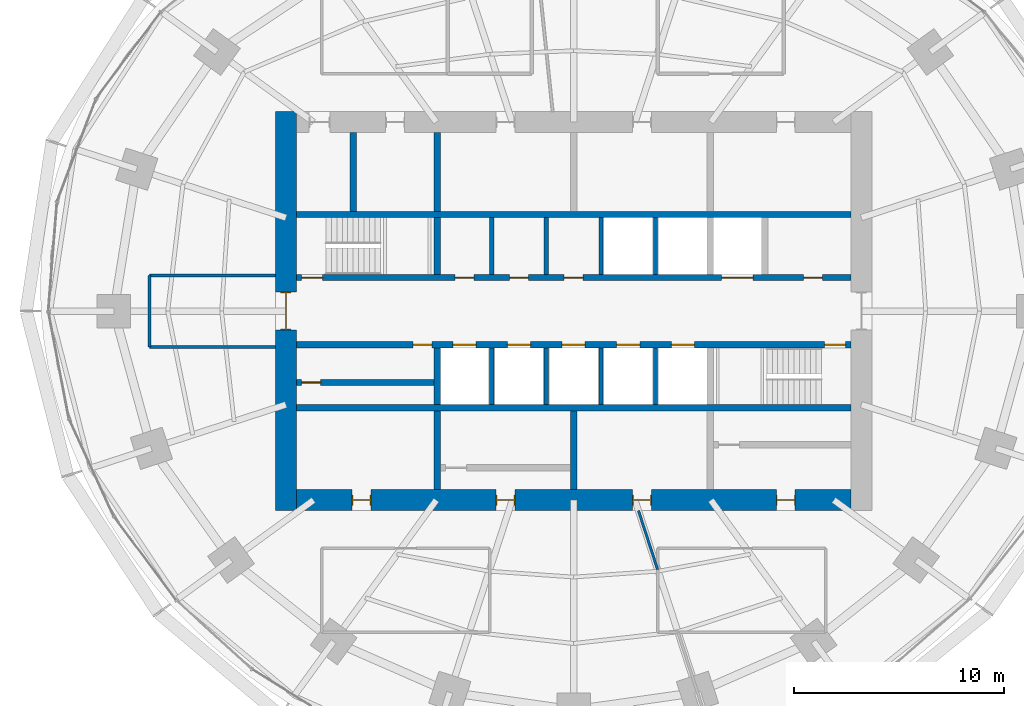
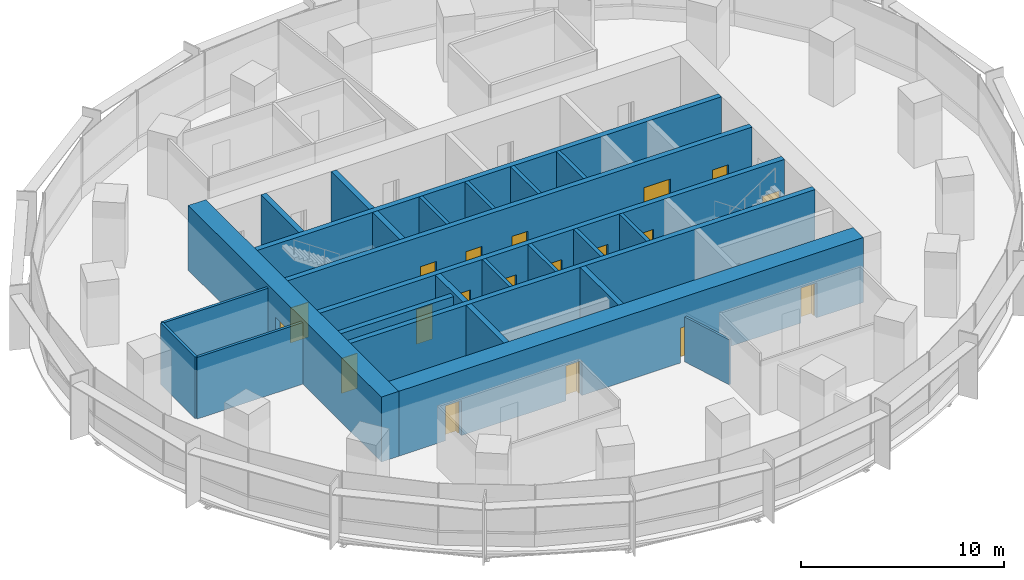
# One storey, part 10 of 14: 25 walls, 19 doors, 19 openings.
"""IFC4 building model written with IfcOpenShell, lengths in metres."""

from ifc_helpers import new_model, si_unit, direction, frame, frame_2d, origin, place, context, subcontext, project, spatial, rectangle, extrude, material, layer, layer_set, type_object, element, fill, save


model = new_model("IFC4")

# Units and contexts
model_context = context("Model", 3, precision=1e-05, world=origin(), true_north=direction((0.0, 1.0)))
body_context = subcontext(model_context, "Body", "Model", "MODEL_VIEW")
ifc_project = project(units=[si_unit("LENGTHUNIT", "METRE"), si_unit("AREAUNIT", "SQUARE_METRE"), si_unit("VOLUMEUNIT", "CUBIC_METRE"), si_unit("PLANEANGLEUNIT", "RADIAN"), si_unit("MASSUNIT", "GRAM", prefix="KILO")], contexts=[model_context])

# Site, building, storey
site_placement = place(None, origin())
site = spatial("IfcSite", under=ifc_project, at=site_placement, CompositionType="ELEMENT")
building_placement = place(site_placement, origin())
building = spatial("IfcBuilding", under=site, at=building_placement, Name="Marramba Exchange Tower", CompositionType="ELEMENT")
storey_placement = place(building_placement, frame((0.0, 0.0, 162.60009765625)))
storey = spatial("IfcBuildingStorey", under=building, at=storey_placement, Name="L39", CompositionType="ELEMENT", Elevation=162.60009765625)

# Walls
ifc_material_1 = material(Name="Concrete N50", Category="concrete")
ifc_layer_1 = layer(ifc_material_1, 0.199951171875)
ifc_layer_set_1 = layer_set([ifc_layer_1], Name="Core shaft wall 200")
wall_type_1 = type_object("IfcWallType", Name="Core shaft wall 200", PredefinedType="SHEAR", material=ifc_layer_set_1)
for number, where, z_axis, x_axis, name in (
    (1, (-3.89990234375, 1.75, 0.0), (0.0, 0.0, 1.0), (0.0, 1.0, 0.0), "Core wall SHN1 L39"),
    (2, (-1.300048828125, 1.75, 0.0), (0.0, 0.0, 1.0), (0.0, 1.0, 0.0), "Core wall SHN2 L39"),
    (3, (1.300048828125, 1.75, 0.0), (0.0, 0.0, 1.0), (0.0, 1.0, 0.0), "Core wall SHN3 L39"),
    (4, (3.89990234375, 1.75, 0.0), (0.0, 0.0, 1.0), (0.0, 1.0, 0.0), "Core wall SHN4 L39"),
    (5, (-3.89990234375, -1.75, 0.0), (0.0, 0.0, 1.0), (0.0, -1.0, 0.0), "Core wall SHS1 L39"),
    (6, (-1.300048828125, -1.75, 0.0), (0.0, 0.0, 1.0), (0.0, -1.0, 0.0), "Core wall SHS2 L39"),
    (7, (1.300048828125, -1.75, 0.0), (0.0, 0.0, 1.0), (0.0, -1.0, 0.0), "Core wall SHS3 L39"),
    (8, (3.89990234375, -1.75, 0.0), (0.0, 0.0, 1.0), (0.0, -1.0, 0.0), "Core wall SHS4 L39"),
):
    element("IfcWall", number, at=place(storey_placement, frame(where, z_axis=z_axis, x_axis=x_axis)), inside=storey, type_object=wall_type_1, Name=name, PredefinedType="SHEAR", context=body_context, shape_type="SweptSolid", body=[
        extrude(rectangle(XDim=2.699951171875, YDim=0.199951171875, at=frame_2d((1.35009765625, 0.0))), origin(), (0.0, 0.0, 1.0), 3.89990234375),
    ])

# Wall, openings, doors
ifc_layer_2 = layer(ifc_material_1, 1.0)
ifc_layer_set_2 = layer_set([ifc_layer_2], Name="Core wall 1000")
wall_type_2 = type_object("IfcWallType", Name="Core wall 1000", PredefinedType="SHEAR", material=ifc_layer_set_2)
wall_1_placement = place(storey_placement, frame((-13.199951171875, -9.0, 0.0), z_axis=(0.0, 0.0, 1.0), x_axis=(1.0, 0.0, 0.0)))
wall_1 = element("IfcWall", 9, at=wall_1_placement, inside=storey, type_object=wall_type_2, Name="Core wall S L39", PredefinedType="SHEAR", context=body_context, shape_type="SweptSolid", body=[
    extrude(rectangle(XDim=26.39990234375, YDim=1.0, at=frame_2d((13.199951171875, 0.0))), origin(), (0.0, 0.0, 1.0), 3.89990234375),
])
opening_1_placement = place(wall_1_placement, frame((2.64990234375, 0.0, 0.0)))
opening_1 = element("IfcOpeningElement", 10, at=opening_1_placement, cuts=wall_1, Name="Opening D5", PredefinedType="OPENING", context=body_context, shape_type="SweptSolid", body=[
    extrude(rectangle(XDim=0.89990234375, YDim=2.10009765625, at=frame_2d((0.449951171875, 1.050048828125))), frame((0.0, 0.510009765625, 0.0), z_axis=(0.0, -1.0, 0.0), x_axis=(1.0, 0.0, 0.0)), (0.0, 0.0, 1.0), 1.02001953125),
])
opening_2_placement = place(wall_1_placement, frame((9.5, 0.0, 0.0)))
opening_2 = element("IfcOpeningElement", 11, at=opening_2_placement, cuts=wall_1, Name="Opening D5", PredefinedType="OPENING", context=body_context, shape_type="SweptSolid", body=[
    extrude(rectangle(XDim=0.89990234375, YDim=2.10009765625, at=frame_2d((0.449951171875, 1.050048828125))), frame((0.0, 0.510009765625, 0.0), z_axis=(0.0, -1.0, 0.0), x_axis=(1.0, 0.0, 0.0)), (0.0, 0.0, 1.0), 1.02001953125),
])
opening_3_placement = place(wall_1_placement, frame((16.0, 0.0, 0.0)))
opening_3 = element("IfcOpeningElement", 12, at=opening_3_placement, cuts=wall_1, Name="Opening D5", PredefinedType="OPENING", context=body_context, shape_type="SweptSolid", body=[
    extrude(rectangle(XDim=0.89990234375, YDim=2.10009765625, at=frame_2d((0.449951171875, 1.050048828125))), frame((0.0, 0.510009765625, 0.0), z_axis=(0.0, -1.0, 0.0), x_axis=(1.0, 0.0, 0.0)), (0.0, 0.0, 1.0), 1.02001953125),
])
opening_4_placement = place(wall_1_placement, frame((22.85009765625, 0.0, 0.0)))
opening_4 = element("IfcOpeningElement", 13, at=opening_4_placement, cuts=wall_1, Name="Opening D5", PredefinedType="OPENING", context=body_context, shape_type="SweptSolid", body=[
    extrude(rectangle(XDim=0.89990234375, YDim=2.10009765625, at=frame_2d((0.449951171875, 1.050048828125))), frame((0.0, 0.510009765625, 0.0), z_axis=(0.0, -1.0, 0.0), x_axis=(1.0, 0.0, 0.0)), (0.0, 0.0, 1.0), 1.02001953125),
])
ifc_material_2 = material(Name="Steel-framed door", Category="steel")
door_type_1 = type_object("IfcDoorType", Name="Service door 900x2100", OperationType="SINGLE_SWING_LEFT", PredefinedType="DOOR", material=ifc_material_2)
door_1_placement = place(opening_1_placement, origin())
door_1 = element("IfcDoor", 14, at=door_1_placement, inside=storey, type_object=door_type_1, Name="D5 ahu L39", OperationType="SINGLE_SWING_LEFT", OverallHeight=2.10009765625, OverallWidth=0.89990234375, PredefinedType="DOOR", context=body_context, shape_type="SweptSolid", body=[
    extrude(rectangle(XDim=0.81982421875, YDim=2.06005859375, at=frame_2d((0.449951171875, 1.030029296875))), frame((0.0, 0.02490234375, 0.0), z_axis=(0.0, -1.0, 0.0), x_axis=(1.0, 0.0, 0.0)), (0.0, 0.0, 1.0), 0.050048828125),
    extrude(rectangle(XDim=0.04, YDim=2.10009765625, at=frame_2d((0.02001953125, 1.050048828125))), frame((0.0, 0.25, 0.0), z_axis=(0.0, -1.0, 0.0), x_axis=(1.0, 0.0, 0.0)), (0.0, 0.0, 1.0), 0.5),
    extrude(rectangle(XDim=0.04, YDim=2.10009765625, at=frame_2d((0.8798828125, 1.050048828125))), frame((0.0, 0.25, 0.0), z_axis=(0.0, -1.0, 0.0), x_axis=(1.0, 0.0, 0.0)), (0.0, 0.0, 1.0), 0.5),
    extrude(rectangle(XDim=0.81982421875, YDim=0.04, at=frame_2d((0.449951171875, 2.080078125))), frame((0.0, 0.25, 0.0), z_axis=(0.0, -1.0, 0.0), x_axis=(1.0, 0.0, 0.0)), (0.0, 0.0, 1.0), 0.5),
])
fill(opening_1, door_1)
door_2_placement = place(opening_2_placement, origin())
door_2 = element("IfcDoor", 15, at=door_2_placement, inside=storey, type_object=door_type_1, Name="D5 store L39", OperationType="SINGLE_SWING_RIGHT", OverallHeight=2.10009765625, OverallWidth=0.89990234375, PredefinedType="DOOR", context=body_context, shape_type="SweptSolid", body=[
    extrude(rectangle(XDim=0.81982421875, YDim=2.06005859375, at=frame_2d((0.449951171875, 1.030029296875))), frame((0.0, 0.02490234375, 0.0), z_axis=(0.0, -1.0, 0.0), x_axis=(1.0, 0.0, 0.0)), (0.0, 0.0, 1.0), 0.050048828125),
    extrude(rectangle(XDim=0.04, YDim=2.10009765625, at=frame_2d((0.02001953125, 1.050048828125))), frame((0.0, 0.25, 0.0), z_axis=(0.0, -1.0, 0.0), x_axis=(1.0, 0.0, 0.0)), (0.0, 0.0, 1.0), 0.5),
    extrude(rectangle(XDim=0.04, YDim=2.10009765625, at=frame_2d((0.8798828125, 1.050048828125))), frame((0.0, 0.25, 0.0), z_axis=(0.0, -1.0, 0.0), x_axis=(1.0, 0.0, 0.0)), (0.0, 0.0, 1.0), 0.5),
    extrude(rectangle(XDim=0.81982421875, YDim=0.04, at=frame_2d((0.449951171875, 2.080078125))), frame((0.0, 0.25, 0.0), z_axis=(0.0, -1.0, 0.0), x_axis=(1.0, 0.0, 0.0)), (0.0, 0.0, 1.0), 0.5),
])
fill(opening_2, door_2)
door_3_placement = place(opening_3_placement, origin())
door_3 = element("IfcDoor", 16, at=door_3_placement, inside=storey, type_object=door_type_1, Name="D5 switch L39", OperationType="SINGLE_SWING_RIGHT", OverallHeight=2.10009765625, OverallWidth=0.89990234375, PredefinedType="DOOR", context=body_context, shape_type="SweptSolid", body=[
    extrude(rectangle(XDim=0.81982421875, YDim=2.06005859375, at=frame_2d((0.449951171875, 1.030029296875))), frame((0.0, 0.02490234375, 0.0), z_axis=(0.0, -1.0, 0.0), x_axis=(1.0, 0.0, 0.0)), (0.0, 0.0, 1.0), 0.050048828125),
    extrude(rectangle(XDim=0.04, YDim=2.10009765625, at=frame_2d((0.02001953125, 1.050048828125))), frame((0.0, 0.25, 0.0), z_axis=(0.0, -1.0, 0.0), x_axis=(1.0, 0.0, 0.0)), (0.0, 0.0, 1.0), 0.5),
    extrude(rectangle(XDim=0.04, YDim=2.10009765625, at=frame_2d((0.8798828125, 1.050048828125))), frame((0.0, 0.25, 0.0), z_axis=(0.0, -1.0, 0.0), x_axis=(1.0, 0.0, 0.0)), (0.0, 0.0, 1.0), 0.5),
    extrude(rectangle(XDim=0.81982421875, YDim=0.04, at=frame_2d((0.449951171875, 2.080078125))), frame((0.0, 0.25, 0.0), z_axis=(0.0, -1.0, 0.0), x_axis=(1.0, 0.0, 0.0)), (0.0, 0.0, 1.0), 0.5),
])
fill(opening_3, door_3)
door_4_placement = place(opening_4_placement, origin())
door_4 = element("IfcDoor", 17, at=door_4_placement, inside=storey, type_object=door_type_1, Name="D5 cstore L39", OperationType="SINGLE_SWING_RIGHT", OverallHeight=2.10009765625, OverallWidth=0.89990234375, PredefinedType="DOOR", context=body_context, shape_type="SweptSolid", body=[
    extrude(rectangle(XDim=0.81982421875, YDim=2.06005859375, at=frame_2d((0.449951171875, 1.030029296875))), frame((0.0, 0.02490234375, 0.0), z_axis=(0.0, -1.0, 0.0), x_axis=(1.0, 0.0, 0.0)), (0.0, 0.0, 1.0), 0.050048828125),
    extrude(rectangle(XDim=0.04, YDim=2.10009765625, at=frame_2d((0.02001953125, 1.050048828125))), frame((0.0, 0.25, 0.0), z_axis=(0.0, -1.0, 0.0), x_axis=(1.0, 0.0, 0.0)), (0.0, 0.0, 1.0), 0.5),
    extrude(rectangle(XDim=0.04, YDim=2.10009765625, at=frame_2d((0.8798828125, 1.050048828125))), frame((0.0, 0.25, 0.0), z_axis=(0.0, -1.0, 0.0), x_axis=(1.0, 0.0, 0.0)), (0.0, 0.0, 1.0), 0.5),
    extrude(rectangle(XDim=0.81982421875, YDim=0.04, at=frame_2d((0.449951171875, 2.080078125))), frame((0.0, 0.25, 0.0), z_axis=(0.0, -1.0, 0.0), x_axis=(1.0, 0.0, 0.0)), (0.0, 0.0, 1.0), 0.5),
])
fill(opening_4, door_4)

# Wall, opening, door
wall_2_placement = place(storey_placement, frame((-13.699951171875, 9.5, 0.0), z_axis=(0.0, 0.0, 1.0), x_axis=(0.0, -1.0, 0.0)))
wall_2 = element("IfcWall", 18, at=wall_2_placement, inside=storey, type_object=wall_type_2, Name="Core wall W L39", PredefinedType="SHEAR", context=body_context, shape_type="SweptSolid", body=[
    extrude(rectangle(XDim=19.0, YDim=1.0, at=frame_2d((9.5, 0.0))), origin(), (0.0, 0.0, 1.0), 3.89990234375),
])
opening_5_placement = place(wall_2_placement, frame((8.60009765625, 0.0, 0.0)))
opening_5 = element("IfcOpeningElement", 19, at=opening_5_placement, cuts=wall_2, Name="Opening D1", PredefinedType="OPENING", context=body_context, shape_type="SweptSolid", body=[
    extrude(rectangle(XDim=1.800048828125, YDim=2.39990234375, at=frame_2d((0.89990234375, 1.199951171875))), frame((0.0, 0.510009765625, 0.0), z_axis=(0.0, -1.0, 0.0), x_axis=(1.0, 0.0, 0.0)), (0.0, 0.0, 1.0), 1.02001953125),
])
door_type_2 = type_object("IfcDoorType", Name="Lobby exit door 1800x2400", OperationType="DOUBLE_DOOR_SINGLE_SWING", PredefinedType="DOOR", material=ifc_material_2)
door_5_placement = place(opening_5_placement, frame((1.800048828125, 0.0, 0.0), z_axis=(0.0, 0.0, 1.0), x_axis=(-1.0, 0.0, 0.0)))
door_5 = element("IfcDoor", 20, at=door_5_placement, inside=storey, type_object=door_type_2, Name="D1 lobby exit west L39", OperationType="DOUBLE_DOOR_SINGLE_SWING", OverallHeight=2.39990234375, OverallWidth=1.800048828125, PredefinedType="DOOR", context=body_context, shape_type="SweptSolid", body=[
    extrude(rectangle(XDim=1.719970703125, YDim=2.35986328125, at=frame_2d((0.900146484375, 1.179931640625))), frame((0.0, 0.025146484375, 0.0), z_axis=(0.0, -1.0, 0.0), x_axis=(1.0, 0.0, 0.0)), (0.0, 0.0, 1.0), 0.050048828125),
    extrude(rectangle(XDim=0.04, YDim=2.39990234375, at=frame_2d((1.780029296875, 1.199951171875))), frame((0.0, 0.25, 0.0), z_axis=(0.0, -1.0, 0.0), x_axis=(1.0, 0.0, 0.0)), (0.0, 0.0, 1.0), 0.5),
    extrude(rectangle(XDim=0.04, YDim=2.39990234375, at=frame_2d((0.02001953125, 1.199951171875))), frame((0.0, 0.25, 0.0), z_axis=(0.0, -1.0, 0.0), x_axis=(1.0, 0.0, 0.0)), (0.0, 0.0, 1.0), 0.5),
    extrude(rectangle(XDim=1.719970703125, YDim=0.04, at=frame_2d((0.900146484375, 2.3798828125))), frame((0.0, 0.25, 0.0), z_axis=(0.0, -1.0, 0.0), x_axis=(1.0, 0.0, 0.0)), (0.0, 0.0, 1.0), 0.5),
])
fill(opening_5, door_5)

# Wall, openings, doors
ifc_layer_3 = layer(ifc_material_1, 0.300048828125)
ifc_layer_set_3 = layer_set([ifc_layer_3], Name="Core wall 300")
wall_type_3 = type_object("IfcWallType", Name="Core wall 300", PredefinedType="SHEAR", material=ifc_layer_set_3)
wall_3_placement = place(storey_placement, frame((-13.199951171875, 1.60009765625, 0.0), z_axis=(0.0, 0.0, 1.0), x_axis=(1.0, 0.0, 0.0)))
wall_3 = element("IfcWall", 21, at=wall_3_placement, inside=storey, type_object=wall_type_3, Name="Core wall LN L39", PredefinedType="SHEAR", context=body_context, shape_type="SweptSolid", body=[
    extrude(rectangle(XDim=26.39990234375, YDim=0.300048828125, at=frame_2d((13.199951171875, 0.0))), origin(), (0.0, 0.0, 1.0), 3.89990234375),
])
opening_6_placement = place(wall_3_placement, frame((0.25, 0.0, 0.0)))
opening_6 = element("IfcOpeningElement", 22, at=opening_6_placement, cuts=wall_3, Name="Opening D2", PredefinedType="OPENING", context=body_context, shape_type="SweptSolid", body=[
    extrude(rectangle(XDim=1.0, YDim=2.10009765625, at=frame_2d((0.5, 1.050048828125))), frame((0.0, 0.159912109375, 0.0), z_axis=(0.0, -1.0, 0.0), x_axis=(1.0, 0.0, 0.0)), (0.0, 0.0, 1.0), 0.320068359375),
])
opening_7_placement = place(wall_3_placement, frame((20.25, 0.0, 0.0)))
opening_7 = element("IfcOpeningElement", 23, at=opening_7_placement, cuts=wall_3, Name="Opening LD3", PredefinedType="OPENING", context=body_context, shape_type="SweptSolid", body=[
    extrude(rectangle(XDim=1.5, YDim=2.39990234375, at=frame_2d((0.75, 1.199951171875))), frame((0.0, 0.159912109375, 0.0), z_axis=(0.0, -1.0, 0.0), x_axis=(1.0, 0.0, 0.0)), (0.0, 0.0, 1.0), 0.320068359375),
])
opening_8_placement = place(wall_3_placement, frame((7.550048828125, 0.0, 0.0)))
opening_8 = element("IfcOpeningElement", 24, at=opening_8_placement, cuts=wall_3, Name="Opening D5", PredefinedType="OPENING", context=body_context, shape_type="SweptSolid", body=[
    extrude(rectangle(XDim=0.89990234375, YDim=2.10009765625, at=frame_2d((0.449951171875, 1.050048828125))), frame((0.0, 0.159912109375, 0.0), z_axis=(0.0, -1.0, 0.0), x_axis=(1.0, 0.0, 0.0)), (0.0, 0.0, 1.0), 0.320068359375),
])
opening_9_placement = place(wall_3_placement, frame((10.14990234375, 0.0, 0.0)))
opening_9 = element("IfcOpeningElement", 25, at=opening_9_placement, cuts=wall_3, Name="Opening D5", PredefinedType="OPENING", context=body_context, shape_type="SweptSolid", body=[
    extrude(rectangle(XDim=0.89990234375, YDim=2.10009765625, at=frame_2d((0.449951171875, 1.050048828125))), frame((0.0, 0.159912109375, 0.0), z_axis=(0.0, -1.0, 0.0), x_axis=(1.0, 0.0, 0.0)), (0.0, 0.0, 1.0), 0.320068359375),
])
opening_10_placement = place(wall_3_placement, frame((12.75, 0.0, 0.0)))
opening_10 = element("IfcOpeningElement", 26, at=opening_10_placement, cuts=wall_3, Name="Opening D5", PredefinedType="OPENING", context=body_context, shape_type="SweptSolid", body=[
    extrude(rectangle(XDim=0.89990234375, YDim=2.10009765625, at=frame_2d((0.449951171875, 1.050048828125))), frame((0.0, 0.159912109375, 0.0), z_axis=(0.0, -1.0, 0.0), x_axis=(1.0, 0.0, 0.0)), (0.0, 0.0, 1.0), 0.320068359375),
])
opening_11_placement = place(wall_3_placement, frame((24.14990234375, 0.0, 0.0)))
opening_11 = element("IfcOpeningElement", 27, at=opening_11_placement, cuts=wall_3, Name="Opening D5", PredefinedType="OPENING", context=body_context, shape_type="SweptSolid", body=[
    extrude(rectangle(XDim=0.89990234375, YDim=2.10009765625, at=frame_2d((0.449951171875, 1.050048828125))), frame((0.0, 0.159912109375, 0.0), z_axis=(0.0, -1.0, 0.0), x_axis=(1.0, 0.0, 0.0)), (0.0, 0.0, 1.0), 0.320068359375),
])
door_type_3 = type_object("IfcDoorType", Name="Goods lift landing door 1500x2400", OperationType="SLIDING_TO_LEFT", PredefinedType="DOOR", material=ifc_material_2)
door_6_placement = place(opening_7_placement, origin())
door_6 = element("IfcDoor", 28, at=door_6_placement, inside=storey, type_object=door_type_3, Name="GL1 landing door L39", OperationType="SLIDING_TO_LEFT", OverallHeight=2.39990234375, OverallWidth=1.5, PredefinedType="DOOR", context=body_context, shape_type="SweptSolid", body=[
    extrude(rectangle(XDim=1.5, YDim=2.39990234375, at=frame_2d((0.75, 1.199951171875))), frame((0.0, 0.02490234375, 0.0), z_axis=(0.0, -1.0, 0.0), x_axis=(1.0, 0.0, 0.0)), (0.0, 0.0, 1.0), 0.050048828125),
])
fill(opening_7, door_6)
door_7_placement = place(opening_8_placement, origin())
door_7 = element("IfcDoor", 29, at=door_7_placement, inside=storey, type_object=door_type_1, Name="D5 switch room L39", OperationType="SINGLE_SWING_RIGHT", OverallHeight=2.10009765625, OverallWidth=0.89990234375, PredefinedType="DOOR", context=body_context, shape_type="SweptSolid", body=[
    extrude(rectangle(XDim=0.89990234375, YDim=2.10009765625, at=frame_2d((0.449951171875, 1.050048828125))), frame((0.0, 0.02490234375, 0.0), z_axis=(0.0, -1.0, 0.0), x_axis=(1.0, 0.0, 0.0)), (0.0, 0.0, 1.0), 0.050048828125),
])
fill(opening_8, door_7)
door_8_placement = place(opening_9_placement, origin())
door_8 = element("IfcDoor", 30, at=door_8_placement, inside=storey, type_object=door_type_1, Name="D5 cleaner store L39", OperationType="SINGLE_SWING_RIGHT", OverallHeight=2.10009765625, OverallWidth=0.89990234375, PredefinedType="DOOR", context=body_context, shape_type="SweptSolid", body=[
    extrude(rectangle(XDim=0.89990234375, YDim=2.10009765625, at=frame_2d((0.449951171875, 1.050048828125))), frame((0.0, 0.02490234375, 0.0), z_axis=(0.0, -1.0, 0.0), x_axis=(1.0, 0.0, 0.0)), (0.0, 0.0, 1.0), 0.050048828125),
])
fill(opening_9, door_8)
door_9_placement = place(opening_10_placement, origin())
door_9 = element("IfcDoor", 31, at=door_9_placement, inside=storey, type_object=door_type_1, Name="D5 general store L39", OperationType="SINGLE_SWING_RIGHT", OverallHeight=2.10009765625, OverallWidth=0.89990234375, PredefinedType="DOOR", context=body_context, shape_type="SweptSolid", body=[
    extrude(rectangle(XDim=0.89990234375, YDim=2.10009765625, at=frame_2d((0.449951171875, 1.050048828125))), frame((0.0, 0.02490234375, 0.0), z_axis=(0.0, -1.0, 0.0), x_axis=(1.0, 0.0, 0.0)), (0.0, 0.0, 1.0), 0.050048828125),
])
fill(opening_10, door_9)
door_10_placement = place(opening_11_placement, origin())
door_10 = element("IfcDoor", 32, at=door_10_placement, inside=storey, type_object=door_type_1, Name="D5 riser L39", OperationType="SINGLE_SWING_RIGHT", OverallHeight=2.10009765625, OverallWidth=0.89990234375, PredefinedType="DOOR", context=body_context, shape_type="SweptSolid", body=[
    extrude(rectangle(XDim=0.89990234375, YDim=2.10009765625, at=frame_2d((0.449951171875, 1.050048828125))), frame((0.0, 0.02490234375, 0.0), z_axis=(0.0, -1.0, 0.0), x_axis=(1.0, 0.0, 0.0)), (0.0, 0.0, 1.0), 0.050048828125),
])
fill(opening_11, door_10)
door_type_4 = type_object("IfcDoorType", Name="Stair door 1000x2100", OperationType="SINGLE_SWING_LEFT", PredefinedType="DOOR", material=ifc_material_2)
door_11_placement = place(opening_6_placement, origin())
door_11 = element("IfcDoor", 33, at=door_11_placement, inside=storey, type_object=door_type_4, Name="D2 stair ST1 L39", OperationType="SINGLE_SWING_LEFT", OverallHeight=2.10009765625, OverallWidth=1.0, PredefinedType="DOOR", context=body_context, shape_type="SweptSolid", body=[
    extrude(rectangle(XDim=1.0, YDim=2.10009765625, at=frame_2d((0.5, 1.050048828125))), frame((0.0, 0.02490234375, 0.0), z_axis=(0.0, -1.0, 0.0), x_axis=(1.0, 0.0, 0.0)), (0.0, 0.0, 1.0), 0.050048828125),
])
fill(opening_6, door_11)

wall_4_placement = place(storey_placement, frame((-13.199951171875, -1.60009765625, 0.0), z_axis=(0.0, 0.0, 1.0), x_axis=(1.0, 0.0, 0.0)))
wall_4 = element("IfcWall", 34, at=wall_4_placement, inside=storey, type_object=wall_type_3, Name="Core wall LS L39", PredefinedType="SHEAR", context=body_context, shape_type="SweptSolid", body=[
    extrude(rectangle(XDim=26.39990234375, YDim=0.300048828125, at=frame_2d((13.199951171875, 0.0))), origin(), (0.0, 0.0, 1.0), 3.89990234375),
])
opening_12_placement = place(wall_4_placement, frame((25.14990234375, 0.0, 0.0)))
opening_12 = element("IfcOpeningElement", 35, at=opening_12_placement, cuts=wall_4, Name="Opening D2", PredefinedType="OPENING", context=body_context, shape_type="SweptSolid", body=[
    extrude(rectangle(XDim=1.0, YDim=2.10009765625, at=frame_2d((0.5, 1.050048828125))), frame((0.0, 0.159912109375, 0.0), z_axis=(0.0, -1.0, 0.0), x_axis=(1.0, 0.0, 0.0)), (0.0, 0.0, 1.0), 0.320068359375),
])
opening_13_placement = place(wall_4_placement, frame((7.449951171875, 0.0, 0.0)))
opening_13 = element("IfcOpeningElement", 36, at=opening_13_placement, cuts=wall_4, Name="Opening LD1", PredefinedType="OPENING", context=body_context, shape_type="SweptSolid", body=[
    extrude(rectangle(XDim=1.10009765625, YDim=2.300048828125, at=frame_2d((0.550048828125, 1.14990234375))), frame((0.0, 0.159912109375, 0.0), z_axis=(0.0, -1.0, 0.0), x_axis=(1.0, 0.0, 0.0)), (0.0, 0.0, 1.0), 0.320068359375),
])
opening_14_placement = place(wall_4_placement, frame((10.050048828125, 0.0, 0.0)))
opening_14 = element("IfcOpeningElement", 37, at=opening_14_placement, cuts=wall_4, Name="Opening LD1", PredefinedType="OPENING", context=body_context, shape_type="SweptSolid", body=[
    extrude(rectangle(XDim=1.10009765625, YDim=2.300048828125, at=frame_2d((0.550048828125, 1.14990234375))), frame((0.0, 0.159912109375, 0.0), z_axis=(0.0, -1.0, 0.0), x_axis=(1.0, 0.0, 0.0)), (0.0, 0.0, 1.0), 0.320068359375),
])
opening_15_placement = place(wall_4_placement, frame((12.64990234375, 0.0, 0.0)))
opening_15 = element("IfcOpeningElement", 38, at=opening_15_placement, cuts=wall_4, Name="Opening LD1", PredefinedType="OPENING", context=body_context, shape_type="SweptSolid", body=[
    extrude(rectangle(XDim=1.10009765625, YDim=2.300048828125, at=frame_2d((0.550048828125, 1.14990234375))), frame((0.0, 0.159912109375, 0.0), z_axis=(0.0, -1.0, 0.0), x_axis=(1.0, 0.0, 0.0)), (0.0, 0.0, 1.0), 0.320068359375),
])
opening_16_placement = place(wall_4_placement, frame((15.25, 0.0, 0.0)))
opening_16 = element("IfcOpeningElement", 39, at=opening_16_placement, cuts=wall_4, Name="Opening LD2", PredefinedType="OPENING", context=body_context, shape_type="SweptSolid", body=[
    extrude(rectangle(XDim=1.10009765625, YDim=2.300048828125, at=frame_2d((0.550048828125, 1.14990234375))), frame((0.0, 0.159912109375, 0.0), z_axis=(0.0, -1.0, 0.0), x_axis=(1.0, 0.0, 0.0)), (0.0, 0.0, 1.0), 0.320068359375),
])
opening_17_placement = place(wall_4_placement, frame((17.85009765625, 0.0, 0.0)))
opening_17 = element("IfcOpeningElement", 40, at=opening_17_placement, cuts=wall_4, Name="Opening LD2", PredefinedType="OPENING", context=body_context, shape_type="SweptSolid", body=[
    extrude(rectangle(XDim=1.10009765625, YDim=2.300048828125, at=frame_2d((0.550048828125, 1.14990234375))), frame((0.0, 0.159912109375, 0.0), z_axis=(0.0, -1.0, 0.0), x_axis=(1.0, 0.0, 0.0)), (0.0, 0.0, 1.0), 0.320068359375),
])
opening_18_placement = place(wall_4_placement, frame((5.550048828125, 0.0, 0.0)))
opening_18 = element("IfcOpeningElement", 41, at=opening_18_placement, cuts=wall_4, Name="Opening D5", PredefinedType="OPENING", context=body_context, shape_type="SweptSolid", body=[
    extrude(rectangle(XDim=0.89990234375, YDim=2.10009765625, at=frame_2d((0.449951171875, 1.050048828125))), frame((0.0, 0.159912109375, 0.0), z_axis=(0.0, -1.0, 0.0), x_axis=(1.0, 0.0, 0.0)), (0.0, 0.0, 1.0), 0.320068359375),
])
door_type_5 = type_object("IfcDoorType", Name="Emergency lift landing door 1100x2300", OperationType="SLIDING_TO_LEFT", PredefinedType="DOOR", material=ifc_material_2)
door_12_placement = place(opening_16_placement, frame((1.10009765625, 0.0, 0.0), z_axis=(0.0, 0.0, 1.0), x_axis=(-1.0, 0.0, 0.0)))
door_12 = element("IfcDoor", 42, at=door_12_placement, inside=storey, type_object=door_type_5, Name="FL1 landing door L39", OperationType="SLIDING_TO_RIGHT", OverallHeight=2.300048828125, OverallWidth=1.10009765625, PredefinedType="DOOR", context=body_context, shape_type="SweptSolid", body=[
    extrude(rectangle(XDim=1.10009765625, YDim=2.300048828125, at=frame_2d((0.550048828125, 1.14990234375))), frame((0.0, 0.025146484375, 0.0), z_axis=(0.0, -1.0, 0.0), x_axis=(1.0, 0.0, 0.0)), (0.0, 0.0, 1.0), 0.050048828125),
])
fill(opening_16, door_12)
door_13_placement = place(opening_17_placement, frame((1.10009765625, 0.0, 0.0), z_axis=(0.0, 0.0, 1.0), x_axis=(-1.0, 0.0, 0.0)))
door_13 = element("IfcDoor", 43, at=door_13_placement, inside=storey, type_object=door_type_5, Name="FL2 landing door L39", OperationType="SLIDING_TO_LEFT", OverallHeight=2.300048828125, OverallWidth=1.10009765625, PredefinedType="DOOR", context=body_context, shape_type="SweptSolid", body=[
    extrude(rectangle(XDim=1.10009765625, YDim=2.300048828125, at=frame_2d((0.550048828125, 1.14990234375))), frame((0.0, 0.025146484375, 0.0), z_axis=(0.0, -1.0, 0.0), x_axis=(1.0, 0.0, 0.0)), (0.0, 0.0, 1.0), 0.050048828125),
])
fill(opening_17, door_13)
door_type_6 = type_object("IfcDoorType", Name="Lift landing door 1100x2300", OperationType="SLIDING_TO_LEFT", PredefinedType="DOOR", material=ifc_material_2)
door_14_placement = place(opening_13_placement, frame((1.10009765625, 0.0, 0.0), z_axis=(0.0, 0.0, 1.0), x_axis=(-1.0, 0.0, 0.0)))
door_14 = element("IfcDoor", 44, at=door_14_placement, inside=storey, type_object=door_type_6, Name="LB1 landing door L39", OperationType="SLIDING_TO_LEFT", OverallHeight=2.300048828125, OverallWidth=1.10009765625, PredefinedType="DOOR", context=body_context, shape_type="SweptSolid", body=[
    extrude(rectangle(XDim=1.10009765625, YDim=2.300048828125, at=frame_2d((0.550048828125, 1.14990234375))), frame((0.0, 0.025146484375, 0.0), z_axis=(0.0, -1.0, 0.0), x_axis=(1.0, 0.0, 0.0)), (0.0, 0.0, 1.0), 0.050048828125),
])
fill(opening_13, door_14)
door_15_placement = place(opening_14_placement, frame((1.10009765625, 0.0, 0.0), z_axis=(0.0, 0.0, 1.0), x_axis=(-1.0, 0.0, 0.0)))
door_15 = element("IfcDoor", 45, at=door_15_placement, inside=storey, type_object=door_type_6, Name="LB2 landing door L39", OperationType="SLIDING_TO_RIGHT", OverallHeight=2.300048828125, OverallWidth=1.10009765625, PredefinedType="DOOR", context=body_context, shape_type="SweptSolid", body=[
    extrude(rectangle(XDim=1.10009765625, YDim=2.300048828125, at=frame_2d((0.550048828125, 1.14990234375))), frame((0.0, 0.025146484375, 0.0), z_axis=(0.0, -1.0, 0.0), x_axis=(1.0, 0.0, 0.0)), (0.0, 0.0, 1.0), 0.050048828125),
])
fill(opening_14, door_15)
door_16_placement = place(opening_15_placement, frame((1.10009765625, 0.0, 0.0), z_axis=(0.0, 0.0, 1.0), x_axis=(-1.0, 0.0, 0.0)))
door_16 = element("IfcDoor", 46, at=door_16_placement, inside=storey, type_object=door_type_6, Name="LB3 landing door L39", OperationType="SLIDING_TO_RIGHT", OverallHeight=2.300048828125, OverallWidth=1.10009765625, PredefinedType="DOOR", context=body_context, shape_type="SweptSolid", body=[
    extrude(rectangle(XDim=1.10009765625, YDim=2.300048828125, at=frame_2d((0.550048828125, 1.14990234375))), frame((0.0, 0.025146484375, 0.0), z_axis=(0.0, -1.0, 0.0), x_axis=(1.0, 0.0, 0.0)), (0.0, 0.0, 1.0), 0.050048828125),
])
fill(opening_15, door_16)
door_17_placement = place(opening_18_placement, frame((0.89990234375, 0.0, 0.0), z_axis=(0.0, 0.0, 1.0), x_axis=(-1.0, 0.0, 0.0)))
door_17 = element("IfcDoor", 47, at=door_17_placement, inside=storey, type_object=door_type_1, Name="D5 electrical riser L39", OperationType="SINGLE_SWING_LEFT", OverallHeight=2.10009765625, OverallWidth=0.89990234375, PredefinedType="DOOR", context=body_context, shape_type="SweptSolid", body=[
    extrude(rectangle(XDim=0.89990234375, YDim=2.10009765625, at=frame_2d((0.449951171875, 1.050048828125))), frame((0.0, 0.025146484375, 0.0), z_axis=(0.0, -1.0, 0.0), x_axis=(1.0, 0.0, 0.0)), (0.0, 0.0, 1.0), 0.050048828125),
])
fill(opening_18, door_17)
door_18_placement = place(opening_12_placement, frame((1.0, 0.0, 0.0), z_axis=(0.0, 0.0, 1.0), x_axis=(-1.0, 0.0, 0.0)))
door_18 = element("IfcDoor", 48, at=door_18_placement, inside=storey, type_object=door_type_4, Name="D2 stair ST2 L39", OperationType="SINGLE_SWING_LEFT", OverallHeight=2.10009765625, OverallWidth=1.0, PredefinedType="DOOR", context=body_context, shape_type="SweptSolid", body=[
    extrude(rectangle(XDim=1.0, YDim=2.10009765625, at=frame_2d((0.5, 1.050048828125))), frame((0.0, 0.025146484375, 0.0), z_axis=(0.0, -1.0, 0.0), x_axis=(1.0, 0.0, 0.0)), (0.0, 0.0, 1.0), 0.050048828125),
])
fill(opening_12, door_18)

# Walls
for number, where, z_axis, x_axis, name in (
    (49, (-13.199951171875, 4.60009765625, 0.0), (0.0, 0.0, 1.0), (1.0, 0.0, 0.0), "Core wall BN L39"),
    (50, (-13.199951171875, -4.60009765625, 0.0), (0.0, 0.0, 1.0), (1.0, 0.0, 0.0), "Core wall BS L39"),
):
    element("IfcWall", number, at=place(storey_placement, frame(where, z_axis=z_axis, x_axis=x_axis)), inside=storey, type_object=wall_type_3, Name=name, PredefinedType="SHEAR", context=body_context, shape_type="SweptSolid", body=[
        extrude(rectangle(XDim=26.39990234375, YDim=0.300048828125, at=frame_2d((13.199951171875, 0.0))), origin(), (0.0, 0.0, 1.0), 3.89990234375),
    ])
wall_5_placement = place(storey_placement, frame((-6.5, 1.75, 0.0), z_axis=(0.0, 0.0, 1.0), x_axis=(0.0, 1.0, 0.0)))
element("IfcWall", 51, at=wall_5_placement, inside=storey, type_object=wall_type_3, Name="Core wall X0Na L39", PredefinedType="SHEAR", context=body_context, shape_type="SweptSolid", body=[
    extrude(rectangle(XDim=2.699951171875, YDim=0.300048828125, at=frame_2d((1.35009765625, 0.0))), origin(), (0.0, 0.0, 1.0), 3.89990234375),
])
wall_6_placement = place(storey_placement, frame((-6.5, 4.75, 0.0), z_axis=(0.0, 0.0, 1.0), x_axis=(0.0, 1.0, 0.0)))
element("IfcWall", 52, at=wall_6_placement, inside=storey, type_object=wall_type_3, Name="Core wall X0Nb L39", PredefinedType="SHEAR", context=body_context, shape_type="SweptSolid", body=[
    extrude(rectangle(XDim=3.75, YDim=0.300048828125, at=frame_2d((1.875, 0.0))), origin(), (0.0, 0.0, 1.0), 3.89990234375),
])
wall_7_placement = place(storey_placement, frame((-6.5, -1.75, 0.0), z_axis=(0.0, 0.0, 1.0), x_axis=(0.0, -1.0, 0.0)))
element("IfcWall", 53, at=wall_7_placement, inside=storey, type_object=wall_type_3, Name="Core wall X0Sa L39", PredefinedType="SHEAR", context=body_context, shape_type="SweptSolid", body=[
    extrude(rectangle(XDim=2.699951171875, YDim=0.300048828125, at=frame_2d((1.35009765625, 0.0))), origin(), (0.0, 0.0, 1.0), 3.89990234375),
])
for number, where, z_axis, x_axis, name in (
    (54, (-6.5, -4.75, 0.0), (0.0, 0.0, 1.0), (0.0, -1.0, 0.0), "Core wall X0Sb L39"),
    (55, (0.0, -4.75, 0.0), (0.0, 0.0, 1.0), (0.0, -1.0, 0.0), "Core wall MS L39"),
    (56, (-10.5, 4.75, 0.0), (0.0, 0.0, 1.0), (0.0, 1.0, 0.0), "Core wall WD L39"),
):
    element("IfcWall", number, at=place(storey_placement, frame(where, z_axis=z_axis, x_axis=x_axis)), inside=storey, type_object=wall_type_3, Name=name, PredefinedType="SHEAR", context=body_context, shape_type="SweptSolid", body=[
        extrude(rectangle(XDim=3.75, YDim=0.300048828125, at=frame_2d((1.875, 0.0))), origin(), (0.0, 0.0, 1.0), 3.89990234375),
    ])
ifc_material_3 = material(Name="Plasterboard on steel studs", Category="steel")
ifc_layer_4 = layer(ifc_material_3, 0.1201171875)
ifc_layer_set_4 = layer_set([ifc_layer_4], Name="Partition 120")
wall_type_4 = type_object("IfcWallType", Name="Partition 120", PredefinedType="PARTITIONING", material=ifc_layer_set_4)
wall_8_placement = place(storey_placement, frame((3.086669921875, -9.5, 0.0), z_axis=(0.0, 0.0, 1.0), x_axis=(0.309031903466, -0.951051671908, 0.0)))
element("IfcWall", 57, at=wall_8_placement, inside=storey, type_object=wall_type_4, Name="Partition L39 07", PredefinedType="PARTITIONING", context=body_context, shape_type="SweptSolid", body=[
    extrude(rectangle(XDim=2.95556640625, YDim=0.1201171875, at=frame_2d((1.477783203125, 0.0))), origin(), (0.0, 0.0, 1.0), 2.699951171875),
])

# Wall, opening, door
ifc_material_4 = material(Name="Core-filled concrete blockwork", Category="masonry")
ifc_layer_5 = layer(ifc_material_4, 0.300048828125)
ifc_layer_set_5 = layer_set([ifc_layer_5], Name="Riser enclosure wall 300")
wall_type_5 = type_object("IfcWallType", Name="Riser enclosure wall 300", PredefinedType="SOLIDWALL", material=ifc_layer_set_5)
wall_9_placement = place(storey_placement, frame((-13.199951171875, -3.39990234375, 0.0), z_axis=(0.0, 0.0, 1.0), x_axis=(1.0, 0.0, 0.0)))
wall_9 = element("IfcWall", 58, at=wall_9_placement, inside=storey, type_object=wall_type_5, Name="Riser enclosure wall L39", PredefinedType="SOLIDWALL", context=body_context, shape_type="SweptSolid", body=[
    extrude(rectangle(XDim=6.550048828125, YDim=0.300048828125, at=frame_2d((3.27490234375, 0.0))), origin(), (0.0, 0.0, 1.0), 3.699951171875),
])
opening_19_placement = place(wall_9_placement, frame((0.25, 0.0, 0.0)))
opening_19 = element("IfcOpeningElement", 59, at=opening_19_placement, cuts=wall_9, Name="Opening D5", PredefinedType="OPENING", context=body_context, shape_type="SweptSolid", body=[
    extrude(rectangle(XDim=0.89990234375, YDim=2.10009765625, at=frame_2d((0.449951171875, 1.050048828125))), frame((0.0, 0.159912109375, 0.0), z_axis=(0.0, -1.0, 0.0), x_axis=(1.0, 0.0, 0.0)), (0.0, 0.0, 1.0), 0.320068359375),
])
door_19_placement = place(opening_19_placement, frame((0.89990234375, 0.0, 0.0), z_axis=(0.0, 0.0, 1.0), x_axis=(-1.0, 0.0, 0.0)))
door_19 = element("IfcDoor", 60, at=door_19_placement, inside=storey, type_object=door_type_1, Name="D5 electrical riser back L39", OperationType="SINGLE_SWING_RIGHT", OverallHeight=2.10009765625, OverallWidth=0.89990234375, PredefinedType="DOOR", context=body_context, shape_type="SweptSolid", body=[
    extrude(rectangle(XDim=0.89990234375, YDim=2.10009765625, at=frame_2d((0.449951171875, 1.050048828125))), frame((0.0, 0.025146484375, 0.0), z_axis=(0.0, -1.0, 0.0), x_axis=(1.0, 0.0, 0.0)), (0.0, 0.0, 1.0), 0.050048828125),
])
fill(opening_19, door_19)

# Walls
ifc_material_5 = material(Name="Fire-rated plasterboard on steel studs, acoustic insulation", Category="steel")
ifc_layer_6 = layer(ifc_material_5, 0.14990234375)
ifc_layer_set_6 = layer_set([ifc_layer_6], Name="Tenancy wall 150")
wall_type_6 = type_object("IfcWallType", Name="Tenancy wall 150", PredefinedType="PARTITIONING", material=ifc_layer_set_6)
for number, where, z_axis, x_axis, name in (
    (61, (-20.199951171875, -1.699951171875, 0.0), (0.0, 0.0, 1.0), (1.0, 0.0, 0.0), "Tenancy wall L39 01"),
    (62, (-14.199951171875, 1.699951171875, 0.0), (0.0, 0.0, 1.0), (-1.0, 0.0, 0.0), "Tenancy wall L39 24"),
):
    element("IfcWall", number, at=place(storey_placement, frame(where, z_axis=z_axis, x_axis=x_axis)), inside=storey, type_object=wall_type_6, Name=name, PredefinedType="PARTITIONING", context=body_context, shape_type="SweptSolid", body=[
        extrude(rectangle(XDim=6.0, YDim=0.14990234375, at=frame_2d((3.0, 0.0))), origin(), (0.0, 0.0, 1.0), 3.699951171875),
    ])
wall_10_placement = place(storey_placement, frame((-20.199951171875, 1.699951171875, 0.0), z_axis=(0.0, 0.0, 1.0), x_axis=(0.0, -1.0, 0.0)))
element("IfcWall", 63, at=wall_10_placement, inside=storey, type_object=wall_type_6, Name="Tenancy wall L39 25", PredefinedType="PARTITIONING", context=body_context, shape_type="SweptSolid", body=[
    extrude(rectangle(XDim=3.39990234375, YDim=0.14990234375, at=frame_2d((1.699951171875, 0.0))), origin(), (0.0, 0.0, 1.0), 3.699951171875),
])

save(model, "model.ifc")
